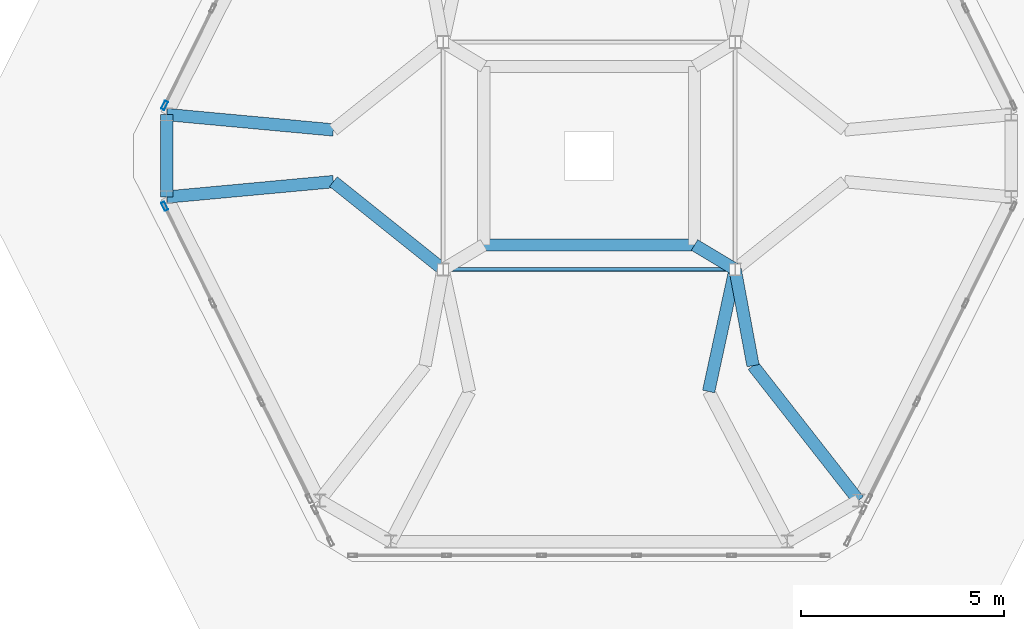
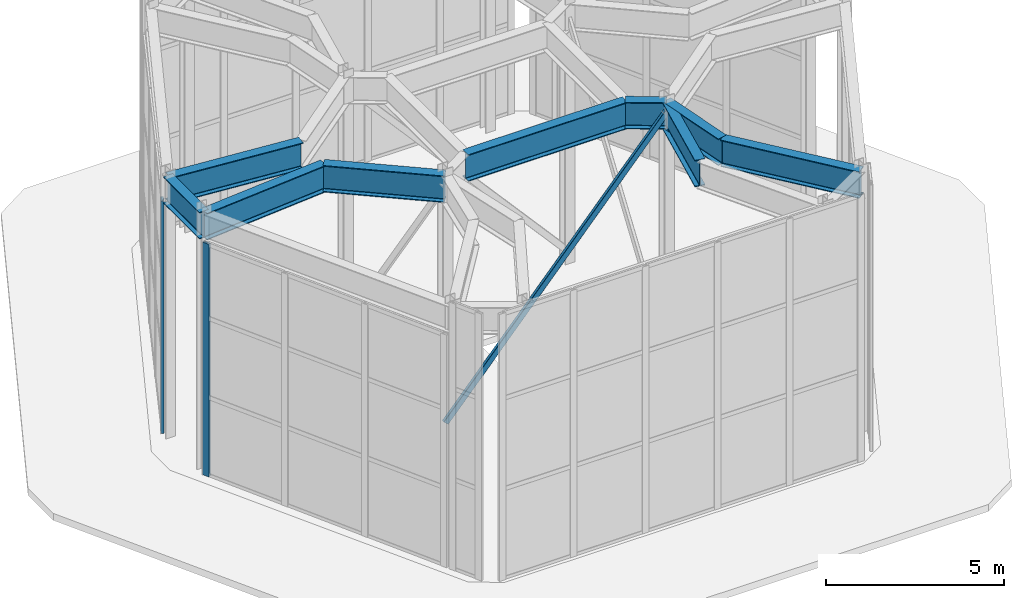
# One storey, part 3 of 9: 9 beams, 3 members, 2 elements without a shape of their own.
"""IFC4 building model written with IfcOpenShell, lengths in metres."""

from ifc_helpers import new_model, si_unit, direction, frame, origin, origin_2d, place, context, subcontext, project, spatial, hollow_rectangle, i_section, extrude, material, layer, layer_set, material_profile, profile_set, type_object, element, aggregate, save


model = new_model("IFC4")

# Units and contexts
model_context = context("Model", 3, precision=1e-05, world=origin(), true_north=direction((0.0, 1.0)))
body_context = subcontext(model_context, "Body", "Model", "MODEL_VIEW")
ifc_project = project(units=[si_unit("LENGTHUNIT", "METRE"), si_unit("AREAUNIT", "SQUARE_METRE"), si_unit("VOLUMEUNIT", "CUBIC_METRE"), si_unit("PLANEANGLEUNIT", "RADIAN"), si_unit("MASSUNIT", "GRAM", prefix="KILO")], contexts=[model_context])

# Site, building, storey
site_placement = place(None, origin())
site = spatial("IfcSite", under=ifc_project, at=site_placement, CompositionType="ELEMENT")
building_placement = place(site_placement, origin())
building = spatial("IfcBuilding", under=site, at=building_placement, Name="Cinnabar Lancet Tower", CompositionType="ELEMENT")
storey_placement = place(building_placement, frame((0.0, 0.0, 323.85009765625)))
storey = spatial("IfcBuildingStorey", under=building, at=storey_placement, Name="L82", CompositionType="ELEMENT", Elevation=323.85009765625)

# Curtain wall, member
ifc_material_1 = material(Name="Thermally broken bronze-anodized aluminium and low-E glass", Category="aluminium")
ifc_layer = layer(ifc_material_1, 0.179931640625)
ifc_layer_set = layer_set([ifc_layer], Name="Thermally broken bronze-anodized aluminium and low-E glass")
curtain_wall_type = type_object("IfcCurtainWallType", Name="ENV-CW-SYS-06", PredefinedType="NOTDEFINED", material=ifc_layer_set)
curtain_wall_1_placement = place(storey_placement, origin())
curtain_wall_1 = element("IfcCurtainWall", 1, at=curtain_wall_1_placement, inside=storey, type_object=curtain_wall_type, Name="L82 Faceted Lancet Crown Curtain Wall 15", PredefinedType="NOTDEFINED")
ifc_material_2 = material(Name="Anodized architectural aluminium 6063-T6", Category="aluminium")
ifc_material_profile_1 = material_profile(ifc_material_2, hollow_rectangle(XDim=0.0849609375, YDim=0.219970703125, WallThickness=0.0048828125, InnerFilletRadius=0.00244140625, OuterFilletRadius=0.007568359375, at=origin_2d()), Name="CW-MUL 220x85x5")
ifc_profile_set_1 = profile_set([ifc_material_profile_1], Name="Anodized architectural aluminium 6063-T6")
member_type_1 = type_object("IfcMemberType", Name="ENV-CW-MUL-220", PredefinedType="MULLION", material=ifc_profile_set_1)
member_1_placement = place(storey_placement, frame((21.935302734375, 27.04296875, 0.0), z_axis=(0.0, 0.0, 1.0), x_axis=(0.896196734695, -0.443656863715, 0.0)))
member_1 = element("IfcMember", 2, at=member_1_placement, type_object=member_type_1, Name="CW-06 mullion 4", PredefinedType="MULLION", context=body_context, shape_type="SweptSolid", body=[
    extrude(hollow_rectangle(XDim=0.0849609375, YDim=0.219970703125, WallThickness=0.0048828125, InnerFilletRadius=0.00244140625, OuterFilletRadius=0.007568359375, at=origin_2d()), origin(), (0.0, 0.0, 1.0), 7.996826171875),
])
aggregate(curtain_wall_1, [member_1])

curtain_wall_2_placement = place(storey_placement, origin())
curtain_wall_2 = element("IfcCurtainWall", 3, at=curtain_wall_2_placement, inside=storey, type_object=curtain_wall_type, Name="L82 Faceted Lancet Crown Curtain Wall 19", PredefinedType="NOTDEFINED")
member_2_placement = place(storey_placement, frame((21.935302734375, 24.55712890625, 0.0), z_axis=(0.0, 0.0, 1.0), x_axis=(0.896196734695, 0.443656863715, 0.0)))
member_2 = element("IfcMember", 4, at=member_2_placement, type_object=member_type_1, Name="CW-06 mullion 1", PredefinedType="MULLION", context=body_context, shape_type="SweptSolid", body=[
    extrude(hollow_rectangle(XDim=0.0849609375, YDim=0.219970703125, WallThickness=0.0048828125, InnerFilletRadius=0.00244140625, OuterFilletRadius=0.007568359375, at=origin_2d()), origin(), (0.0, 0.0, 1.0), 7.996826171875),
])
aggregate(curtain_wall_2, [member_2])

# Beams
ifc_material_3 = material(Name="Structural steel S355", Category="steel")
ifc_material_profile_2 = material_profile(ifc_material_3, i_section(OverallWidth=0.305419921875, OverallDepth=0.91845703125, WebThickness=0.017333984375, FlangeThickness=0.02783203125, FilletRadius=0.01904296875, at=origin_2d()), Name="UKB 914x305x253")
ifc_profile_set_2 = profile_set([ifc_material_profile_2], Name="Structural steel S355")
beam_type = type_object("IfcBeamType", Name="STR-BM-UKB914-253", PredefinedType="BEAM", material=ifc_profile_set_2)
beam_1_placement = place(storey_placement, frame((21.989013671875, 26.81689453125, 8.4658203125), z_axis=(0.0, -1.0, 0.0), x_axis=(1.0, 0.0, 0.0)))
element("IfcBeam", 5, at=beam_1_placement, inside=storey, type_object=beam_type, Name="L83 Setback Outer Ring Girder 10", PredefinedType="BEAM", context=body_context, shape_type="SweptSolid", body=[
    extrude(i_section(OverallWidth=0.305419921875, OverallDepth=0.91845703125, WebThickness=0.017333984375, FlangeThickness=0.02783203125, FilletRadius=0.01904296875, at=origin_2d()), origin(), (0.0, 0.0, 1.0), 2.033935546875),
])
beam_2_placement = place(storey_placement, frame((35.346923828125, 19.989990234375, 8.4658203125), z_axis=(0.212034731166, 0.977262131047, 0.0), x_axis=(-0.977262131047, 0.212034731166, 0.0)))
element("IfcBeam", 6, at=beam_2_placement, inside=storey, type_object=beam_type, Name="L83 Crown Setback Radial Girder 2", PredefinedType="BEAM", context=body_context, shape_type="SweptSolid", body=[
    extrude(i_section(OverallWidth=0.305419921875, OverallDepth=0.91845703125, WebThickness=0.017333984375, FlangeThickness=0.02783203125, FilletRadius=0.01904296875, at=origin_2d()), origin(), (0.0, 0.0, 1.0), 3.080078125),
])
beam_3_placement = place(storey_placement, frame((39.04296875, 17.303955078125, 8.4658203125), z_axis=(-0.616489233305, 0.787363337487, 0.0), x_axis=(-0.787363337487, -0.616489233305, 0.0)))
element("IfcBeam", 7, at=beam_3_placement, inside=storey, type_object=beam_type, Name="L83 Crown Setback Strut Girder 3", PredefinedType="BEAM", context=body_context, shape_type="SweptSolid", body=[
    extrude(i_section(OverallWidth=0.305419921875, OverallDepth=0.91845703125, WebThickness=0.017333984375, FlangeThickness=0.02783203125, FilletRadius=0.01904296875, at=origin_2d()), origin(), (0.0, 0.0, 1.0), 4.21923828125),
])
beam_4_placement = place(storey_placement, frame((36.44189453125, 20.6259765625, 8.4658203125), z_axis=(-0.182994272171, 0.983113979329, 0.0), x_axis=(-0.983113979329, -0.182994272171, 0.0)))
element("IfcBeam", 8, at=beam_4_placement, inside=storey, type_object=beam_type, Name="L83 Crown Setback Radial Girder 3", PredefinedType="BEAM", context=body_context, shape_type="SweptSolid", body=[
    extrude(i_section(OverallWidth=0.305419921875, OverallDepth=0.91845703125, WebThickness=0.017333984375, FlangeThickness=0.02783203125, FilletRadius=0.01904296875, at=origin_2d()), origin(), (0.0, 0.0, 1.0), 2.414794921875),
])
for number, where, z_axis, x_axis, name in (
    (9, (21.989013671875, 26.81689453125, 8.4658203125), (0.995749324246, -0.092104740728, 0.0), (0.092104740728, 0.995749324246, 0.0), "L83 Crown Setback Strut Girder 10"),
    (10, (21.989013671875, 24.782958984375, 8.4658203125), (0.995743893739, 0.092163431373, 0.0), (-0.092163431373, 0.995743893739, 0.0), "L83 Crown Setback Strut Girder 11"),
):
    element("IfcBeam", number, at=place(storey_placement, frame(where, z_axis=z_axis, x_axis=x_axis)), inside=storey, type_object=beam_type, Name=name, PredefinedType="BEAM", context=body_context, shape_type="SweptSolid", body=[
        extrude(i_section(OverallWidth=0.305419921875, OverallDepth=0.91845703125, WebThickness=0.017333984375, FlangeThickness=0.02783203125, FilletRadius=0.01904296875, at=origin_2d()), origin(), (0.0, 0.0, 1.0), 4.12451171875),
    ])
beam_5_placement = place(storey_placement, frame((26.095947265625, 25.1630859375, 8.4658203125), z_axis=(0.780896322231, -0.624660655017, 0.0), x_axis=(0.624660655017, 0.780896322231, 0.0)))
element("IfcBeam", 11, at=beam_5_placement, inside=storey, type_object=beam_type, Name="L83 Crown Setback Radial Girder 11", PredefinedType="BEAM", context=body_context, shape_type="SweptSolid", body=[
    extrude(i_section(OverallWidth=0.305419921875, OverallDepth=0.91845703125, WebThickness=0.017333984375, FlangeThickness=0.02783203125, FilletRadius=0.01904296875, at=origin_2d()), origin(), (0.0, 0.0, 1.0), 3.462890625),
])
beam_6_placement = place(storey_placement, frame((29.800048828125, 23.60009765625, 8.4658203125), z_axis=(1.0, 0.0, 0.0), x_axis=(0.0, 1.0, 0.0)))
element("IfcBeam", 12, at=beam_6_placement, inside=storey, type_object=beam_type, Name="L83 Crown Inner Ring Tie 1", PredefinedType="BEAM", context=body_context, shape_type="SweptSolid", body=[
    extrude(i_section(OverallWidth=0.305419921875, OverallDepth=0.91845703125, WebThickness=0.017333984375, FlangeThickness=0.02783203125, FilletRadius=0.01904296875, at=origin_2d()), origin(), (0.0, 0.0, 1.0), 5.199951171875),
])
beam_7_placement = place(storey_placement, frame((36.0, 23.0, 8.4658203125), z_axis=(-0.857455981178, 0.514557324642, 0.0), x_axis=(-0.514557324642, -0.857455981178, 0.0)))
element("IfcBeam", 13, at=beam_7_placement, inside=storey, type_object=beam_type, Name="L83 Crown Inner Ring Transfer 2", PredefinedType="BEAM", context=body_context, shape_type="SweptSolid", body=[
    extrude(i_section(OverallWidth=0.305419921875, OverallDepth=0.91845703125, WebThickness=0.017333984375, FlangeThickness=0.02783203125, FilletRadius=0.01904296875, at=origin_2d()), origin(), (0.0, 0.0, 1.0), 1.166259765625),
])

# Member
ifc_material_4 = material(Name="Structural steel S460", Category="steel")
ifc_material_profile_3 = material_profile(ifc_material_4, hollow_rectangle(XDim=0.10009765625, YDim=0.199951171875, WallThickness=0.008056640625, InnerFilletRadius=0.00390625, OuterFilletRadius=0.011962890625, at=origin_2d()), Name="RHS 200x100x8")
ifc_profile_set_3 = profile_set([ifc_material_profile_3], Name="Structural steel S460")
member_type_2 = type_object("IfcMemberType", Name="STR-MEM-CRN-BRC200", PredefinedType="BRACE", material=ifc_profile_set_3)
member_3_placement = place(storey_placement, frame((28.800048828125, 23.0, 0.349853515625), z_axis=(0.660933495554, 0.0, 0.75044447793), x_axis=(0.0, 1.0, 0.0)))
element("IfcMember", 14, at=member_3_placement, inside=storey, type_object=member_type_2, Name="L82 Crown Lancet Core Brace 1", PredefinedType="BRACE", context=body_context, shape_type="SweptSolid", body=[
    extrude(hollow_rectangle(XDim=0.10009765625, YDim=0.199951171875, WallThickness=0.008056640625, InnerFilletRadius=0.00390625, OuterFilletRadius=0.011962890625, at=origin_2d()), origin(), (0.0, 0.0, 1.0), 10.8935546875),
])

save(model, "model.ifc")
